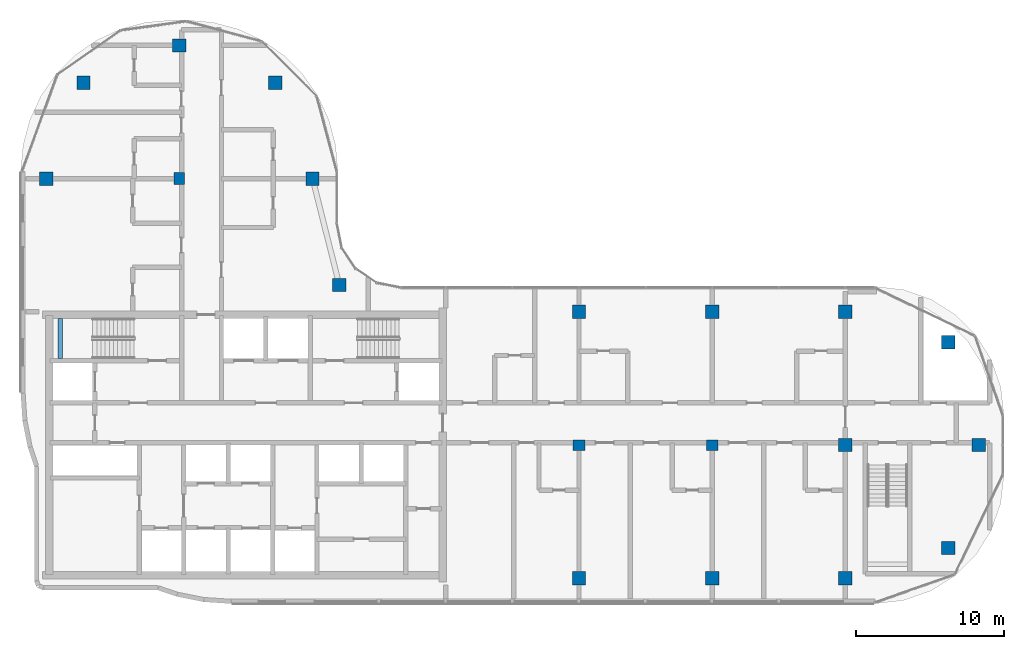
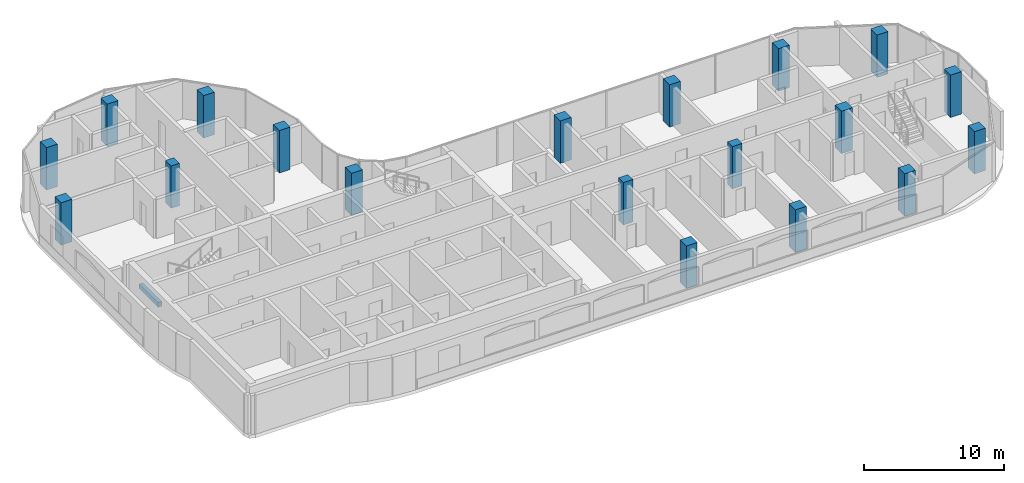
# One storey, part 1 of 19: 19 columns, 1 beam.
"""IFC4 building model written with IfcOpenShell, lengths in metres."""

import ifcopenshell
import ifcopenshell.guid

model = None  # the IFC model being written
_history = None  # IfcOwnerHistory: only IFC2X3 demands one
_inside = {}  # id of a spatial element -> (the spatial element, [elements in it])
_under = {}  # id of a project, library or spatial element -> (it, [spatial elements below it])
_declared = {}  # id of a project -> (the project, [libraries it declares])
_typed = {}  # id of a type object -> (the type object, [elements of that type])
_made_of = {}  # id of a material, layer set ... -> (it, [elements and type objects made of it])


def new_model(schema):
    """Start an empty IFC model of exactly this schema.

    Asked for "IFC4X3", IfcOpenShell would pick the latest addendum, in which some entities
    have other attributes; the version numbers below select the first issue.
    IFC2X3 requires an IfcOwnerHistory on every rooted entity: one is made here for all.
    """
    global model, _history
    if schema == "IFC4X3":
        model = ifcopenshell.file(schema_version=(4, 3, 0, 0))
    else:
        model = ifcopenshell.file(schema=schema)
    _inside.clear()
    _under.clear()
    _declared.clear()
    _typed.clear()
    _made_of.clear()
    _history = None
    if model.schema == "IFC2X3":
        org = make("IfcOrganization", Name="unknown")
        user = make(
            "IfcPersonAndOrganization",
            ThePerson=make("IfcPerson", FamilyName="unknown"),
            TheOrganization=org,
        )
        app = make(
            "IfcApplication",
            ApplicationDeveloper=org,
            Version="unknown",
            ApplicationFullName="unknown",
            ApplicationIdentifier="unknown",
        )
        _history = make(
            "IfcOwnerHistory",
            OwningUser=user,
            OwningApplication=app,
            ChangeAction="ADDED",
            CreationDate=0,
        )
    return model


def make(cls, **values):
    """One entity of the class cls with the attributes given. An attribute that is None is left unset."""
    return model.create_entity(
        cls, **{name: value for name, value in values.items() if value is not None}
    )


def rooted(cls, **values):
    """An entity with a GlobalId (a new one), such as an element, a storey or a relation."""
    return make(cls, GlobalId=ifcopenshell.guid.new(), OwnerHistory=_history, **values)


def si_unit(unit_type, name, prefix=None):
    """IfcSIUnit, for example si_unit("LENGTHUNIT", "METRE", prefix="MILLI")."""
    return make("IfcSIUnit", UnitType=unit_type, Prefix=prefix, Name=name)


def assignment(units):
    """IfcUnitAssignment: the units of a project."""
    return None if units is None else make("IfcUnitAssignment", Units=units)


def point(xyz):
    """IfcCartesianPoint."""
    return None if xyz is None else make("IfcCartesianPoint", Coordinates=xyz)


def direction(xyz):
    """IfcDirection."""
    return None if xyz is None else make("IfcDirection", DirectionRatios=xyz)


def frame(location, z_axis=None, x_axis=None):
    """IfcAxis2Placement3D, a coordinate frame: its origin and axes. An axis left out is left unset."""
    return make(
        "IfcAxis2Placement3D",
        Location=point(location),
        Axis=direction(z_axis),
        RefDirection=direction(x_axis),
    )


def frame_2d(location, x_axis=None):
    """IfcAxis2Placement2D, a coordinate frame in the plane: its origin and x axis."""
    return make(
        "IfcAxis2Placement2D", Location=point(location), RefDirection=direction(x_axis)
    )


def origin():
    """The frame at (0, 0, 0) with its axes left unset."""
    return frame((0.0, 0.0, 0.0))


def origin_2d():
    """The frame at (0, 0) in the plane with its x axis left unset."""
    return frame_2d((0.0, 0.0))


def place(relative_to, where):
    """IfcLocalPlacement: puts the frame where relative to a parent placement (None: the world)."""
    return make(
        "IfcLocalPlacement", PlacementRelTo=relative_to, RelativePlacement=where
    )


def context(
    kind, dimensions, precision=None, world=None, true_north=None, identifier=None
):
    """IfcGeometricRepresentationContext, for example the 3D "Model" context."""
    return make(
        "IfcGeometricRepresentationContext",
        ContextIdentifier=identifier,
        ContextType=kind,
        CoordinateSpaceDimension=dimensions,
        Precision=precision,
        WorldCoordinateSystem=world,
        TrueNorth=true_north,
    )


def subcontext(parent, identifier, kind, view, scale=None):
    """IfcGeometricRepresentationSubContext, for example "Body" below "Model"."""
    return make(
        "IfcGeometricRepresentationSubContext",
        ContextIdentifier=identifier,
        ContextType=kind,
        ParentContext=parent,
        TargetScale=scale,
        TargetView=view,
    )


def project(units=None, contexts=None):
    """IfcProject with its units and contexts."""
    return rooted(
        "IfcProject",
        Name="project",
        RepresentationContexts=contexts,
        UnitsInContext=assignment(units),
    )


def spatial(cls, under=None, at=None, **own):
    """A site, building, storey or space (cls), placed at a placement, below another one or the project."""
    s = rooted(cls, ObjectPlacement=at, **own)
    if under is not None:
        _under.setdefault(under.id(), (under, []))[1].append(s)
    return s


def profile(cls, at=None, kind="AREA", **sizes):
    """A parametric profile (cls). Its sizes go by their IFC names, for example OverallWidth=200.0."""
    return make(cls, ProfileType=kind, Position=at, **sizes)


def rectangle(**sizes):
    """IfcRectangleProfileDef."""
    return profile("IfcRectangleProfileDef", **sizes)


def extrude(swept, where, along, depth):
    """IfcExtrudedAreaSolid: the profile swept, set in the frame where, extruded along a direction by depth."""
    return make(
        "IfcExtrudedAreaSolid",
        SweptArea=swept,
        Position=where,
        ExtrudedDirection=direction(along),
        Depth=depth,
    )


def shape(context_of_items, identifier, shape_type, items):
    """IfcShapeRepresentation: the items that make up one representation, for example the "Body"."""
    return make(
        "IfcShapeRepresentation",
        ContextOfItems=context_of_items,
        RepresentationIdentifier=identifier,
        RepresentationType=shape_type,
        Items=items,
    )


def material(Name=None, Category=None):
    """IfcMaterial."""
    return make("IfcMaterial", Name=Name, Category=Category)


def material_profile(
    of_material, cross_section, Name=None, Category=None, Priority=None
):
    """IfcMaterialProfile: a cross section and its material."""
    return make(
        "IfcMaterialProfile",
        Name=Name,
        Material=of_material,
        Profile=cross_section,
        Priority=Priority,
        Category=Category,
    )


def profile_set(profiles, Name=None, composite=None):
    """IfcMaterialProfileSet."""
    return make(
        "IfcMaterialProfileSet",
        Name=Name,
        MaterialProfiles=profiles,
        CompositeProfile=composite,
    )


def made_of(thing, what):
    """Note that an element or type object is made of a material, layer set ...; save() writes the relation."""
    if what is not None:
        _made_of.setdefault(what.id(), (what, []))[1].append(thing)
    return thing


def type_object(cls, material=None, **own):
    """A type object (cls), such as IfcWallType, which elements share."""
    return made_of(rooted(cls, **own), material)


def element(
    cls,
    number,
    at=None,
    inside=None,
    cuts=None,
    type_object=None,
    material=None,
    context=None,
    identifier="Body",
    shape_type=None,
    held_by="IfcProductDefinitionShape",
    body=None,
    shapes=None,
    **own,
):
    """One element of the class cls, such as IfcWall. Its Tag is "e" and its number.

    at: its placement. inside: the storey or other place that contains it. cuts: it is an
    opening in that element (IfcRelVoidsElement). A single representation is given by context,
    identifier, shape_type and body (its items); several are given by shapes. held_by: the class
    of the entity that holds the representations. save() writes the other relations.
    """
    e = rooted(cls, Tag="e%d" % number, ObjectPlacement=at, **own)
    if body is not None:
        shapes = [shape(context, identifier, shape_type, body)]
    if shapes is not None:
        e.Representation = make(held_by, Representations=shapes)
    if inside is not None:
        _inside.setdefault(inside.id(), (inside, []))[1].append(e)
    if cuts is not None:
        rooted(
            "IfcRelVoidsElement", RelatingBuildingElement=cuts, RelatedOpeningElement=e
        )
    if type_object is not None:
        _typed.setdefault(type_object.id(), (type_object, []))[1].append(e)
    return made_of(e, material)


def aggregate(whole, parts):
    """IfcRelAggregates: a whole, such as a stair, and the parts it consists of."""
    return rooted("IfcRelAggregates", RelatingObject=whole, RelatedObjects=parts)


def save(model, path):
    """Write the relations noted so far, then the file.

    IfcRelAggregates (storeys below a building ...), IfcRelContainedInSpatialStructure (elements
    in a storey), IfcRelDefinesByType, IfcRelAssociatesMaterial and IfcRelDeclares: one each for
    every whole, place, type object, material and project.
    """
    for whole, parts in _under.values():
        aggregate(whole, parts)
    for where, things in _inside.values():
        rooted(
            "IfcRelContainedInSpatialStructure",
            RelatedElements=things,
            RelatingStructure=where,
        )
    for kind, things in _typed.values():
        rooted("IfcRelDefinesByType", RelatedObjects=things, RelatingType=kind)
    for what, things in _made_of.values():
        rooted("IfcRelAssociatesMaterial", RelatedObjects=things, RelatingMaterial=what)
    for by, libraries in _declared.values():
        rooted("IfcRelDeclares", RelatingContext=by, RelatedDefinitions=libraries)
    model.write(path)


model = new_model("IFC4")

# Units and contexts
model_context = context("Model", 3, precision=1e-05, world=origin(), true_north=direction((0.0, 1.0)))
body_context = subcontext(model_context, "Body", "Model", "MODEL_VIEW")
ifc_project = project(units=[si_unit("LENGTHUNIT", "METRE"), si_unit("AREAUNIT", "SQUARE_METRE"), si_unit("VOLUMEUNIT", "CUBIC_METRE"), si_unit("PLANEANGLEUNIT", "RADIAN"), si_unit("MASSUNIT", "GRAM", prefix="KILO")], contexts=[model_context])

# Site, building, storey
site_placement = place(None, origin())
site = spatial("IfcSite", under=ifc_project, at=site_placement, CompositionType="ELEMENT")
building_placement = place(site_placement, origin())
building = spatial("IfcBuilding", under=site, at=building_placement, Name="Ogive Portal Towers", CompositionType="ELEMENT")
storey_placement = place(building_placement, frame((0.0, 0.0, 203.199951171875)))
storey = spatial("IfcBuildingStorey", under=building, at=storey_placement, Name="L50", CompositionType="ELEMENT", Elevation=203.199951171875)

# Columns
ifc_material_1 = material(Name="Concrete C60/75", Category="concrete")
ifc_material_profile_1 = material_profile(ifc_material_1, rectangle(XDim=0.800048828125, YDim=0.699951171875, at=origin_2d()), Name="RC 800x700")
ifc_profile_set_1 = profile_set([ifc_material_profile_1], Name="Concrete C60/75")
column_type_1 = type_object("IfcColumnType", Name="COLUMN RC 800x700", PredefinedType="COLUMN", material=ifc_profile_set_1)
for number, where, z_axis, x_axis, name in (
    (1, (67.5, 30.5, 0.0), (0.0, 0.0, 1.0), (1.0, 0.0, 0.0), "Column 5/B L50"),
    (2, (76.5, 30.5, 0.0), (0.0, 0.0, 1.0), (1.0, 0.0, 0.0), "Column 6/B L50"),
    (3, (40.5, 48.5, 0.0), (0.0, 0.0, 1.0), (0.0, 1.0, 0.0), "Column 2/D L50"),
):
    element("IfcColumn", number, at=place(storey_placement, frame(where, z_axis=z_axis, x_axis=x_axis)), inside=storey, type_object=column_type_1, Name=name, PredefinedType="COLUMN", context=body_context, shape_type="SweptSolid", body=[
        extrude(rectangle(XDim=0.800048828125, YDim=0.699951171875, at=origin_2d()), origin(), (0.0, 0.0, 1.0), 3.699951171875),
    ])
ifc_material_profile_2 = material_profile(ifc_material_1, rectangle(XDim=0.89990234375, YDim=0.89990234375, at=origin_2d()), Name="RC 900x900")
ifc_profile_set_2 = profile_set([ifc_material_profile_2], Name="Concrete C60/75")
column_type_2 = type_object("IfcColumnType", Name="COLUMN RC 900x900", PredefinedType="COLUMN", material=ifc_profile_set_2)
for number, where, z_axis, x_axis, name in (
    (4, (67.5, 21.5, 0.0), (0.0, 0.0, 1.0), (1.0, 0.0, 0.0), "Column 5/A L50"),
    (5, (76.5, 21.5, 0.0), (0.0, 0.0, 1.0), (1.0, 0.0, 0.0), "Column 6/A L50"),
    (6, (85.5, 21.5, 0.0), (0.0, 0.0, 1.0), (1.0, 0.0, 0.0), "Column 7/A L50"),
    (7, (92.449951171875, 23.550048828125, 0.0), (0.0, 0.0, 1.0), (1.0, 0.0, 0.0), "Column L50"),
    (8, (85.5, 30.5, 0.0), (0.0, 0.0, 1.0), (1.0, 0.0, 0.0), "Column 7/B L50"),
    (9, (94.5, 30.5, 0.0), (0.0, 0.0, 1.0), (1.0, 0.0, 0.0), "Column 8/B L50"),
    (10, (92.449951171875, 37.449951171875, 0.0), (0.0, 0.0, 1.0), (1.0, 0.0, 0.0), "Column L50"),
    (11, (67.5, 39.5, 0.0), (0.0, 0.0, 1.0), (1.0, 0.0, 0.0), "Column 5/C L50"),
    (12, (76.5, 39.5, 0.0), (0.0, 0.0, 1.0), (1.0, 0.0, 0.0), "Column 6/C L50"),
    (13, (85.5, 39.5, 0.0), (0.0, 0.0, 1.0), (1.0, 0.0, 0.0), "Column 7/C L50"),
    (14, (51.31005859375, 41.31005859375, 0.0), (0.0, 0.0, 1.0), (1.0, 0.0, 0.0), "Column L50"),
    (15, (31.5, 48.5, 0.0), (0.0, 0.0, 1.0), (1.0, 0.0, 0.0), "Column 1/D L50"),
    (16, (49.5, 48.5, 0.0), (0.0, 0.0, 1.0), (1.0, 0.0, 0.0), "Column 3/D L50"),
    (17, (34.027099609375, 54.972900390625, 0.0), (0.0, 0.0, 1.0), (1.0, 0.0, 0.0), "Column L50"),
    (18, (46.972900390625, 54.972900390625, 0.0), (0.0, 0.0, 1.0), (1.0, 0.0, 0.0), "Column L50"),
    (19, (40.5, 57.5, 0.0), (0.0, 0.0, 1.0), (1.0, 0.0, 0.0), "Column 2/E L50"),
):
    element("IfcColumn", number, at=place(storey_placement, frame(where, z_axis=z_axis, x_axis=x_axis)), inside=storey, type_object=column_type_2, Name=name, PredefinedType="COLUMN", context=body_context, shape_type="SweptSolid", body=[
        extrude(rectangle(XDim=0.89990234375, YDim=0.89990234375, at=origin_2d()), origin(), (0.0, 0.0, 1.0), 3.699951171875),
    ])

# Beam
ifc_material_2 = material(Name="Concrete C40/50", Category="concrete")
ifc_material_profile_3 = material_profile(ifc_material_2, rectangle(XDim=0.300048828125, YDim=0.39990234375, at=origin_2d()), Name="RC 300x400")
ifc_profile_set_3 = profile_set([ifc_material_profile_3], Name="Concrete C40/50")
beam_type = type_object("IfcBeamType", Name="BEAM RC 300x400", PredefinedType="BEAM", material=ifc_profile_set_3)
beam_placement = place(storey_placement, frame((32.449951171875, 36.35009765625, 1.449951171875), z_axis=(0.0, 1.0, 0.0), x_axis=(-1.0, 0.0, 0.0)))
element("IfcBeam", 20, at=beam_placement, inside=storey, type_object=beam_type, Name="Landing beam L50", PredefinedType="BEAM", context=body_context, shape_type="SweptSolid", body=[
    extrude(rectangle(XDim=0.300048828125, YDim=0.39990234375, at=origin_2d()), origin(), (0.0, 0.0, 1.0), 2.699951171875),
])

save(model, "model.ifc")
